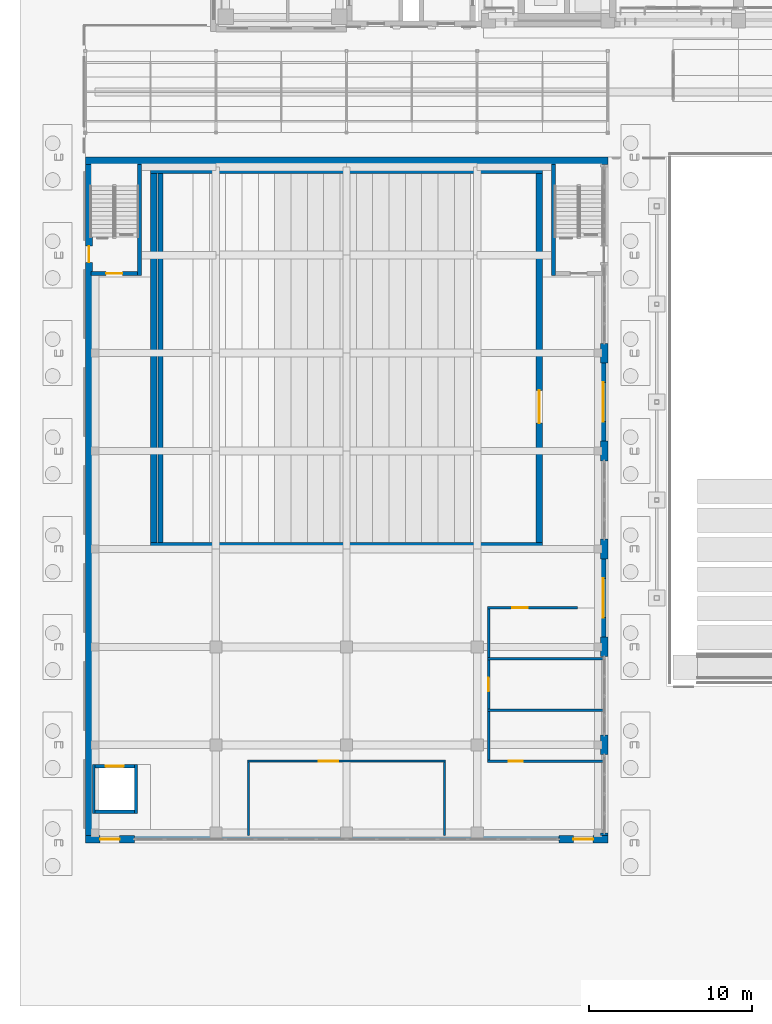
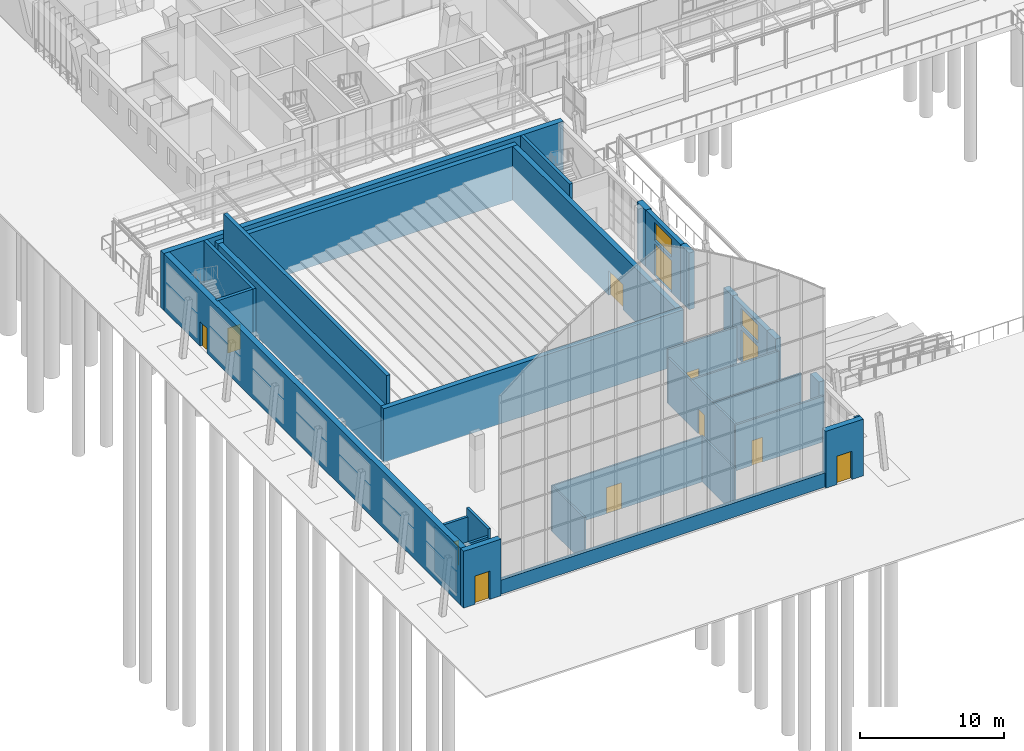
# One storey, part 102 of 144: 33 walls, 12 doors, 2 windows, 14 openings.
"""IFC4 building model written with IfcOpenShell, lengths in metres."""

import ifcopenshell
import ifcopenshell.guid

model = None  # the IFC model being written
_history = None  # IfcOwnerHistory: only IFC2X3 demands one
_inside = {}  # id of a spatial element -> (the spatial element, [elements in it])
_under = {}  # id of a project, library or spatial element -> (it, [spatial elements below it])
_declared = {}  # id of a project -> (the project, [libraries it declares])
_typed = {}  # id of a type object -> (the type object, [elements of that type])
_made_of = {}  # id of a material, layer set ... -> (it, [elements and type objects made of it])


def new_model(schema):
    """Start an empty IFC model of exactly this schema.

    Asked for "IFC4X3", IfcOpenShell would pick the latest addendum, in which some entities
    have other attributes; the version numbers below select the first issue.
    IFC2X3 requires an IfcOwnerHistory on every rooted entity: one is made here for all.
    """
    global model, _history
    if schema == "IFC4X3":
        model = ifcopenshell.file(schema_version=(4, 3, 0, 0))
    else:
        model = ifcopenshell.file(schema=schema)
    _inside.clear()
    _under.clear()
    _declared.clear()
    _typed.clear()
    _made_of.clear()
    _history = None
    if model.schema == "IFC2X3":
        org = make("IfcOrganization", Name="unknown")
        user = make(
            "IfcPersonAndOrganization",
            ThePerson=make("IfcPerson", FamilyName="unknown"),
            TheOrganization=org,
        )
        app = make(
            "IfcApplication",
            ApplicationDeveloper=org,
            Version="unknown",
            ApplicationFullName="unknown",
            ApplicationIdentifier="unknown",
        )
        _history = make(
            "IfcOwnerHistory",
            OwningUser=user,
            OwningApplication=app,
            ChangeAction="ADDED",
            CreationDate=0,
        )
    return model


def make(cls, **values):
    """One entity of the class cls with the attributes given. An attribute that is None is left unset."""
    return model.create_entity(
        cls, **{name: value for name, value in values.items() if value is not None}
    )


def rooted(cls, **values):
    """An entity with a GlobalId (a new one), such as an element, a storey or a relation."""
    return make(cls, GlobalId=ifcopenshell.guid.new(), OwnerHistory=_history, **values)


def si_unit(unit_type, name, prefix=None):
    """IfcSIUnit, for example si_unit("LENGTHUNIT", "METRE", prefix="MILLI")."""
    return make("IfcSIUnit", UnitType=unit_type, Prefix=prefix, Name=name)


def assignment(units):
    """IfcUnitAssignment: the units of a project."""
    return None if units is None else make("IfcUnitAssignment", Units=units)


def point(xyz):
    """IfcCartesianPoint."""
    return None if xyz is None else make("IfcCartesianPoint", Coordinates=xyz)


def direction(xyz):
    """IfcDirection."""
    return None if xyz is None else make("IfcDirection", DirectionRatios=xyz)


def frame(location, z_axis=None, x_axis=None):
    """IfcAxis2Placement3D, a coordinate frame: its origin and axes. An axis left out is left unset."""
    return make(
        "IfcAxis2Placement3D",
        Location=point(location),
        Axis=direction(z_axis),
        RefDirection=direction(x_axis),
    )


def frame_2d(location, x_axis=None):
    """IfcAxis2Placement2D, a coordinate frame in the plane: its origin and x axis."""
    return make(
        "IfcAxis2Placement2D", Location=point(location), RefDirection=direction(x_axis)
    )


def origin():
    """The frame at (0, 0, 0) with its axes left unset."""
    return frame((0.0, 0.0, 0.0))


def place(relative_to, where):
    """IfcLocalPlacement: puts the frame where relative to a parent placement (None: the world)."""
    return make(
        "IfcLocalPlacement", PlacementRelTo=relative_to, RelativePlacement=where
    )


def context(
    kind, dimensions, precision=None, world=None, true_north=None, identifier=None
):
    """IfcGeometricRepresentationContext, for example the 3D "Model" context."""
    return make(
        "IfcGeometricRepresentationContext",
        ContextIdentifier=identifier,
        ContextType=kind,
        CoordinateSpaceDimension=dimensions,
        Precision=precision,
        WorldCoordinateSystem=world,
        TrueNorth=true_north,
    )


def subcontext(parent, identifier, kind, view, scale=None):
    """IfcGeometricRepresentationSubContext, for example "Body" below "Model"."""
    return make(
        "IfcGeometricRepresentationSubContext",
        ContextIdentifier=identifier,
        ContextType=kind,
        ParentContext=parent,
        TargetScale=scale,
        TargetView=view,
    )


def project(units=None, contexts=None):
    """IfcProject with its units and contexts."""
    return rooted(
        "IfcProject",
        Name="project",
        RepresentationContexts=contexts,
        UnitsInContext=assignment(units),
    )


def spatial(cls, under=None, at=None, **own):
    """A site, building, storey or space (cls), placed at a placement, below another one or the project."""
    s = rooted(cls, ObjectPlacement=at, **own)
    if under is not None:
        _under.setdefault(under.id(), (under, []))[1].append(s)
    return s


def profile(cls, at=None, kind="AREA", **sizes):
    """A parametric profile (cls). Its sizes go by their IFC names, for example OverallWidth=200.0."""
    return make(cls, ProfileType=kind, Position=at, **sizes)


def rectangle(**sizes):
    """IfcRectangleProfileDef."""
    return profile("IfcRectangleProfileDef", **sizes)


def extrude(swept, where, along, depth):
    """IfcExtrudedAreaSolid: the profile swept, set in the frame where, extruded along a direction by depth."""
    return make(
        "IfcExtrudedAreaSolid",
        SweptArea=swept,
        Position=where,
        ExtrudedDirection=direction(along),
        Depth=depth,
    )


def shape(context_of_items, identifier, shape_type, items):
    """IfcShapeRepresentation: the items that make up one representation, for example the "Body"."""
    return make(
        "IfcShapeRepresentation",
        ContextOfItems=context_of_items,
        RepresentationIdentifier=identifier,
        RepresentationType=shape_type,
        Items=items,
    )


def material(Name=None, Category=None):
    """IfcMaterial."""
    return make("IfcMaterial", Name=Name, Category=Category)


def layer(
    of_material, thickness, ventilated=None, Name=None, Category=None, Priority=None
):
    """IfcMaterialLayer: one layer of a wall or slab, of a material (None: an air gap)."""
    return make(
        "IfcMaterialLayer",
        Material=of_material,
        LayerThickness=thickness,
        IsVentilated=ventilated,
        Name=Name,
        Category=Category,
        Priority=Priority,
    )


def layer_set(layers, Name=None):
    """IfcMaterialLayerSet."""
    return make("IfcMaterialLayerSet", MaterialLayers=layers, LayerSetName=Name)


def made_of(thing, what):
    """Note that an element or type object is made of a material, layer set ...; save() writes the relation."""
    if what is not None:
        _made_of.setdefault(what.id(), (what, []))[1].append(thing)
    return thing


def type_object(cls, material=None, **own):
    """A type object (cls), such as IfcWallType, which elements share."""
    return made_of(rooted(cls, **own), material)


def element(
    cls,
    number,
    at=None,
    inside=None,
    cuts=None,
    type_object=None,
    material=None,
    context=None,
    identifier="Body",
    shape_type=None,
    held_by="IfcProductDefinitionShape",
    body=None,
    shapes=None,
    **own,
):
    """One element of the class cls, such as IfcWall. Its Tag is "e" and its number.

    at: its placement. inside: the storey or other place that contains it. cuts: it is an
    opening in that element (IfcRelVoidsElement). A single representation is given by context,
    identifier, shape_type and body (its items); several are given by shapes. held_by: the class
    of the entity that holds the representations. save() writes the other relations.
    """
    e = rooted(cls, Tag="e%d" % number, ObjectPlacement=at, **own)
    if body is not None:
        shapes = [shape(context, identifier, shape_type, body)]
    if shapes is not None:
        e.Representation = make(held_by, Representations=shapes)
    if inside is not None:
        _inside.setdefault(inside.id(), (inside, []))[1].append(e)
    if cuts is not None:
        rooted(
            "IfcRelVoidsElement", RelatingBuildingElement=cuts, RelatedOpeningElement=e
        )
    if type_object is not None:
        _typed.setdefault(type_object.id(), (type_object, []))[1].append(e)
    return made_of(e, material)


def fill(opening, filler):
    """IfcRelFillsElement: the door or window that sits in an opening."""
    return rooted(
        "IfcRelFillsElement",
        RelatingOpeningElement=opening,
        RelatedBuildingElement=filler,
    )


def aggregate(whole, parts):
    """IfcRelAggregates: a whole, such as a stair, and the parts it consists of."""
    return rooted("IfcRelAggregates", RelatingObject=whole, RelatedObjects=parts)


def save(model, path):
    """Write the relations noted so far, then the file.

    IfcRelAggregates (storeys below a building ...), IfcRelContainedInSpatialStructure (elements
    in a storey), IfcRelDefinesByType, IfcRelAssociatesMaterial and IfcRelDeclares: one each for
    every whole, place, type object, material and project.
    """
    for whole, parts in _under.values():
        aggregate(whole, parts)
    for where, things in _inside.values():
        rooted(
            "IfcRelContainedInSpatialStructure",
            RelatedElements=things,
            RelatingStructure=where,
        )
    for kind, things in _typed.values():
        rooted("IfcRelDefinesByType", RelatedObjects=things, RelatingType=kind)
    for what, things in _made_of.values():
        rooted("IfcRelAssociatesMaterial", RelatedObjects=things, RelatingMaterial=what)
    for by, libraries in _declared.values():
        rooted("IfcRelDeclares", RelatingContext=by, RelatedDefinitions=libraries)
    model.write(path)


model = new_model("IFC4")

# Units and contexts
model_context = context("Model", 3, precision=1e-05, world=origin(), true_north=direction((0.0, 1.0)))
body_context = subcontext(model_context, "Body", "Model", "MODEL_VIEW")
ifc_project = project(units=[si_unit("LENGTHUNIT", "METRE"), si_unit("AREAUNIT", "SQUARE_METRE"), si_unit("VOLUMEUNIT", "CUBIC_METRE"), si_unit("PLANEANGLEUNIT", "RADIAN"), si_unit("MASSUNIT", "GRAM", prefix="KILO")], contexts=[model_context])

# Site, building, storey
site_placement = place(None, origin())
site = spatial("IfcSite", under=ifc_project, at=site_placement, CompositionType="ELEMENT")
building_placement = place(site_placement, origin())
building = spatial("IfcBuilding", under=site, at=building_placement, Name="Lantern Court Media Centre", CompositionType="ELEMENT")
storey_placement = place(building_placement, origin())
storey = spatial("IfcBuildingStorey", under=building, at=storey_placement, Name="L00", CompositionType="ELEMENT", Elevation=0.0)

# Wall, opening, door
ifc_material_1 = material(Name="Gypsum board partition")
ifc_layer_1 = layer(ifc_material_1, 0.125)
ifc_layer_set_1 = layer_set([ifc_layer_1], Name="Gypsum board partition")
wall_type_1 = type_object("IfcWallType", Name="Corridor partition 125", PredefinedType="PARTITIONING", material=ifc_layer_set_1)
wall_1_placement = place(storey_placement, frame((9.9375, 3.0, 0.0), z_axis=(0.0, 0.0, 1.0), x_axis=(1.0, 0.0, 0.0)))
wall_1 = element("IfcWall", 1, at=wall_1_placement, inside=storey, type_object=wall_type_1, Name="L00 partition 055", PredefinedType="PARTITIONING", context=body_context, shape_type="SweptSolid", body=[
    extrude(rectangle(XDim=12.125, YDim=0.125, at=frame_2d((6.0625, 0.0))), origin(), (0.0, 0.0, 1.0), 3.8798828125),
])
opening_1_placement = place(wall_1_placement, frame((4.36474609375, 0.0, 0.0)))
opening_1 = element("IfcOpeningElement", 2, at=opening_1_placement, cuts=wall_1, Name="Opening L00-036", PredefinedType="OPENING", context=body_context, shape_type="SweptSolid", body=[
    extrude(rectangle(XDim=1.199951171875, YDim=2.199951171875, at=frame_2d((0.60009765625, 1.10009765625))), frame((0.0, 0.072509765625, 0.0), z_axis=(0.0, -1.0, 0.0), x_axis=(1.0, 0.0, 0.0)), (0.0, 0.0, 1.0), 0.14501953125),
])
ifc_material_2 = material(Name="Solid-core timber door leaf", Category="wood")
door_type_1 = type_object("IfcDoorType", Name="Single door 1200x2200", OperationType="NOTDEFINED", PredefinedType="DOOR", material=ifc_material_2)
door_1_placement = place(opening_1_placement, frame((1.199951171875, 0.0, 0.0), z_axis=(0.0, 0.0, 1.0), x_axis=(-1.0, 0.0, 0.0)))
door_1 = element("IfcDoor", 3, at=door_1_placement, inside=storey, type_object=door_type_1, Name="L00 Cinema Concessions door", OperationType="SINGLE_SWING_LEFT", OverallHeight=2.199951171875, OverallWidth=1.199951171875, PredefinedType="DOOR", context=body_context, shape_type="SweptSolid", body=[
    extrude(rectangle(XDim=1.199951171875, YDim=2.199951171875, at=frame_2d((0.60009765625, 1.10009765625))), frame((0.0, 0.02490234375, 0.0), z_axis=(0.0, -1.0, 0.0), x_axis=(1.0, 0.0, 0.0)), (0.0, 0.0, 1.0), 0.050048828125),
])
fill(opening_1, door_1)

# Walls
for number, where, z_axis, x_axis, name in (
    (4, (10.0, -1.544921875, 0.0), (0.0, 0.0, 1.0), (0.0, 1.0, 0.0), "L00 partition 059"),
    (5, (22.0, -1.544921875, 0.0), (0.0, 0.0, 1.0), (0.0, 1.0, 0.0), "L00 partition 060"),
):
    element("IfcWall", number, at=place(storey_placement, frame(where, z_axis=z_axis, x_axis=x_axis)), inside=storey, type_object=wall_type_1, Name=name, PredefinedType="PARTITIONING", context=body_context, shape_type="SweptSolid", body=[
        extrude(rectangle(XDim=4.482421875, YDim=0.125, at=frame_2d((2.2412109375, 0.0))), origin(), (0.0, 0.0, 1.0), 3.8798828125),
    ])

# Wall, openings, door, window
ifc_material_3 = material(Name="Limestone masonry, insulated", Category="masonry")
ifc_layer_2 = layer(ifc_material_3, 0.35009765625)
ifc_layer_set_2 = layer_set([ifc_layer_2], Name="Limestone masonry, insulated")
wall_type_2 = type_object("IfcWallType", Name="Hall entrance portal wall, stone-faced masonry 350", PredefinedType="SOLIDWALL", material=ifc_layer_set_2)
wall_2_placement = place(storey_placement, frame((31.72509765625, 10.60009765625, 0.0), z_axis=(0.0, 0.0, 1.0), x_axis=(0.0, 1.0, 0.0)))
wall_2 = element("IfcWall", 6, at=wall_2_placement, inside=storey, type_object=wall_type_2, Name="Cinema Hall entrance bay 3", PredefinedType="SOLIDWALL", context=body_context, shape_type="SweptSolid", body=[
    extrude(rectangle(XDim=4.7998046875, YDim=0.35009765625, at=frame_2d((2.39990234375, 0.0))), origin(), (0.0, 0.0, 1.0), 4.800048828125),
])
opening_2_placement = place(wall_2_placement, frame((1.199951171875, 0.0, 0.0)))
opening_2 = element("IfcOpeningElement", 7, at=opening_2_placement, cuts=wall_2, Name="Opening D-V101", PredefinedType="OPENING", context=body_context, shape_type="SweptSolid", body=[
    extrude(rectangle(XDim=2.39990234375, YDim=2.699951171875, at=frame_2d((1.199951171875, 1.35009765625))), frame((0.0, 0.18505859375, 0.0), z_axis=(0.0, -1.0, 0.0), x_axis=(1.0, 0.0, 0.0)), (0.0, 0.0, 1.0), 0.3701171875),
])
opening_3_placement = place(wall_2_placement, frame((1.199951171875, 0.0, 3.0)))
opening_3 = element("IfcOpeningElement", 8, at=opening_3_placement, cuts=wall_2, Name="Opening HWN2", PredefinedType="OPENING", context=body_context, shape_type="SweptSolid", body=[
    extrude(rectangle(XDim=2.39990234375, YDim=1.5, at=frame_2d((1.199951171875, 0.75))), frame((0.0, 0.18505859375, 0.0), z_axis=(0.0, -1.0, 0.0), x_axis=(1.0, 0.0, 0.0)), (0.0, 0.0, 1.0), 0.3701171875),
])
ifc_material_4 = material(Name="Aluminium and laminated glass", Category="aluminium")
door_type_2 = type_object("IfcDoorType", Name="Hall entrance door, double leaf", OperationType="DOUBLE_DOOR_DOUBLE_SWING", PredefinedType="DOOR", material=ifc_material_4)
door_2_placement = place(opening_2_placement, frame((2.39990234375, 0.0, 0.0), z_axis=(0.0, 0.0, 1.0), x_axis=(-1.0, 0.0, 0.0)))
door_2 = element("IfcDoor", 9, at=door_2_placement, inside=storey, type_object=door_type_2, Name="Cinema Hall entrance 1", OperationType="SINGLE_SWING_LEFT", OverallHeight=2.699951171875, OverallWidth=2.39990234375, PredefinedType="DOOR", context=body_context, shape_type="SweptSolid", body=[
    extrude(rectangle(XDim=2.39990234375, YDim=2.699951171875, at=frame_2d((1.199951171875, 1.35009765625))), frame((0.0, 0.02490234375, 0.0), z_axis=(0.0, -1.0, 0.0), x_axis=(1.0, 0.0, 0.0)), (0.0, 0.0, 1.0), 0.050048828125),
])
fill(opening_2, door_2)
ifc_material_5 = material(Name="Aluminium and glass", Category="aluminium")
window_type = type_object("IfcWindowType", Name="Hall entrance fanlight 2400 x 1500", PartitioningType="SINGLE_PANEL", PredefinedType="WINDOW", material=ifc_material_5)
window_1_placement = place(opening_3_placement, origin())
window_1 = element("IfcWindow", 10, at=window_1_placement, inside=storey, type_object=window_type, Name="Cinema Hall entrance fanlight 3", OverallHeight=1.5, OverallWidth=2.39990234375, PartitioningType="SINGLE_PANEL", PredefinedType="WINDOW", context=body_context, shape_type="SweptSolid", body=[
    extrude(rectangle(XDim=2.39990234375, YDim=1.5, at=frame_2d((1.199951171875, 0.75))), frame((0.0, 0.030029296875, 0.0), z_axis=(0.0, -1.0, 0.0), x_axis=(1.0, 0.0, 0.0)), (0.0, 0.0, 1.0), 0.06005859375),
])
fill(opening_3, window_1)

wall_3_placement = place(storey_placement, frame((31.72509765625, 22.60009765625, 0.0), z_axis=(0.0, 0.0, 1.0), x_axis=(0.0, 1.0, 0.0)))
wall_3 = element("IfcWall", 11, at=wall_3_placement, inside=storey, type_object=wall_type_2, Name="Cinema Hall entrance bay 5", PredefinedType="SOLIDWALL", context=body_context, shape_type="SweptSolid", body=[
    extrude(rectangle(XDim=4.7998046875, YDim=0.35009765625, at=frame_2d((2.39990234375, 0.0))), origin(), (0.0, 0.0, 1.0), 4.800048828125),
])
opening_4_placement = place(wall_3_placement, frame((1.199951171875, 0.0, 0.0)))
opening_4 = element("IfcOpeningElement", 12, at=opening_4_placement, cuts=wall_3, Name="Opening D-V102", PredefinedType="OPENING", context=body_context, shape_type="SweptSolid", body=[
    extrude(rectangle(XDim=2.39990234375, YDim=2.699951171875, at=frame_2d((1.199951171875, 1.35009765625))), frame((0.0, 0.18505859375, 0.0), z_axis=(0.0, -1.0, 0.0), x_axis=(1.0, 0.0, 0.0)), (0.0, 0.0, 1.0), 0.3701171875),
])
opening_5_placement = place(wall_3_placement, frame((1.199951171875, 0.0, 3.0)))
opening_5 = element("IfcOpeningElement", 13, at=opening_5_placement, cuts=wall_3, Name="Opening HWN2", PredefinedType="OPENING", context=body_context, shape_type="SweptSolid", body=[
    extrude(rectangle(XDim=2.39990234375, YDim=1.5, at=frame_2d((1.199951171875, 0.75))), frame((0.0, 0.18505859375, 0.0), z_axis=(0.0, -1.0, 0.0), x_axis=(1.0, 0.0, 0.0)), (0.0, 0.0, 1.0), 0.3701171875),
])
door_3_placement = place(opening_4_placement, frame((2.39990234375, 0.0, 0.0), z_axis=(0.0, 0.0, 1.0), x_axis=(-1.0, 0.0, 0.0)))
door_3 = element("IfcDoor", 14, at=door_3_placement, inside=storey, type_object=door_type_2, Name="Cinema Hall entrance 2", OperationType="SINGLE_SWING_LEFT", OverallHeight=2.699951171875, OverallWidth=2.39990234375, PredefinedType="DOOR", context=body_context, shape_type="SweptSolid", body=[
    extrude(rectangle(XDim=2.39990234375, YDim=2.699951171875, at=frame_2d((1.199951171875, 1.35009765625))), frame((0.0, 0.02490234375, 0.0), z_axis=(0.0, -1.0, 0.0), x_axis=(1.0, 0.0, 0.0)), (0.0, 0.0, 1.0), 0.050048828125),
])
fill(opening_4, door_3)
window_2_placement = place(opening_5_placement, origin())
window_2 = element("IfcWindow", 15, at=window_2_placement, inside=storey, type_object=window_type, Name="Cinema Hall entrance fanlight 5", OverallHeight=1.5, OverallWidth=2.39990234375, PartitioningType="SINGLE_PANEL", PredefinedType="WINDOW", context=body_context, shape_type="SweptSolid", body=[
    extrude(rectangle(XDim=2.39990234375, YDim=1.5, at=frame_2d((1.199951171875, 0.75))), frame((0.0, 0.030029296875, 0.0), z_axis=(0.0, -1.0, 0.0), x_axis=(1.0, 0.0, 0.0)), (0.0, 0.0, 1.0), 0.06005859375),
])
fill(opening_5, window_2)

# Wall
ifc_layer_3 = layer(ifc_material_3, 0.300048828125)
ifc_layer_set_3 = layer_set([ifc_layer_3], Name="Limestone masonry, insulated")
wall_type_3 = type_object("IfcWallType", Name="Hall lancet plinth wall, stone-faced masonry 300", PredefinedType="SOLIDWALL", material=ifc_layer_set_3)
wall_4_placement = place(storey_placement, frame((3.0, -1.699951171875, 0.0), z_axis=(0.0, 0.0, 1.0), x_axis=(1.0, 0.0, 0.0)))
element("IfcWall", 16, at=wall_4_placement, inside=storey, type_object=wall_type_3, Name="Cinema Hall lancet window plinth", PredefinedType="SOLIDWALL", context=body_context, shape_type="SweptSolid", body=[
    extrude(rectangle(XDim=26.0, YDim=0.300048828125, at=frame_2d((13.0, 0.0))), origin(), (0.0, 0.0, 1.0), 1.199951171875),
])

# Wall, opening, door
ifc_layer_4 = layer(ifc_material_3, 0.449951171875)
ifc_layer_set_4 = layer_set([ifc_layer_4], Name="Limestone masonry, insulated")
wall_type_4 = type_object("IfcWallType", Name="Hall wall, stone-faced masonry 450", PredefinedType="SOLIDWALL", material=ifc_layer_set_4)
wall_5_placement = place(storey_placement, frame((0.22509765625, -1.550048828125, 0.0), z_axis=(0.0, 0.0, 1.0), x_axis=(0.0, 1.0, 0.0)))
wall_5 = element("IfcWall", 17, at=wall_5_placement, inside=storey, type_object=wall_type_4, Name="Cinema Hall street wall L00", PredefinedType="SOLIDWALL", context=body_context, shape_type="SweptSolid", body=[
    extrude(rectangle(XDim=41.10009765625, YDim=0.449951171875, at=frame_2d((20.550048828125, 0.0))), origin(), (0.0, 0.0, 1.0), 4.800048828125),
])
opening_6_placement = place(wall_5_placement, frame((35.10009765625, 0.0, 0.0)))
opening_6 = element("IfcOpeningElement", 18, at=opening_6_placement, cuts=wall_5, Name="Opening V1-ST-W-L00-02W", PredefinedType="OPENING", context=body_context, shape_type="SweptSolid", body=[
    extrude(rectangle(XDim=1.0, YDim=2.10009765625, at=frame_2d((0.5, 1.050048828125))), frame((0.0, 0.23486328125, 0.0), z_axis=(0.0, -1.0, 0.0), x_axis=(1.0, 0.0, 0.0)), (0.0, 0.0, 1.0), 0.469970703125),
])
ifc_material_6 = material(Name="Steel door leaf", Category="steel")
door_type_3 = type_object("IfcDoorType", Name="Stair exit door 1000x2100", OperationType="NOTDEFINED", PredefinedType="DOOR", material=ifc_material_6)
door_4_placement = place(opening_6_placement, origin())
door_4 = element("IfcDoor", 19, at=door_4_placement, inside=storey, type_object=door_type_3, Name="L00 V1-ST-W stair exit door", OperationType="SINGLE_SWING_RIGHT", OverallHeight=2.10009765625, OverallWidth=1.0, PredefinedType="DOOR", context=body_context, shape_type="SweptSolid", body=[
    extrude(rectangle(XDim=1.0, YDim=2.10009765625, at=frame_2d((0.5, 1.050048828125))), frame((0.0, 0.02490234375, 0.0), z_axis=(0.0, -1.0, 0.0), x_axis=(1.0, 0.0, 0.0)), (0.0, 0.0, 1.0), 0.050048828125),
])
fill(opening_6, door_4)

# Walls
wall_6_placement = place(storey_placement, frame((31.77490234375, -1.550048828125, 0.0), z_axis=(0.0, 0.0, 1.0), x_axis=(0.0, 1.0, 0.0)))
element("IfcWall", 20, at=wall_6_placement, inside=storey, type_object=wall_type_4, Name="Cinema Hall forecourt pier 1", PredefinedType="SOLIDWALL", context=body_context, shape_type="SweptSolid", body=[
    extrude(rectangle(XDim=0.150146484375, YDim=0.449951171875, at=frame_2d((0.0751953125, 0.0))), origin(), (0.0, 0.0, 1.0), 4.800048828125),
])
for number, where, z_axis, x_axis, name in (
    (21, (31.77490234375, 3.39990234375, 0.0), (0.0, 0.0, 1.0), (0.0, 1.0, 0.0), "Cinema Hall forecourt pier 2"),
    (22, (31.77490234375, 9.39990234375, 0.0), (0.0, 0.0, 1.0), (0.0, 1.0, 0.0), "Cinema Hall forecourt pier 3"),
    (23, (31.77490234375, 15.39990234375, 0.0), (0.0, 0.0, 1.0), (0.0, 1.0, 0.0), "Cinema Hall forecourt pier 4"),
    (24, (31.77490234375, 21.39990234375, 0.0), (0.0, 0.0, 1.0), (0.0, 1.0, 0.0), "Cinema Hall forecourt pier 5"),
    (25, (31.77490234375, 27.39990234375, 0.0), (0.0, 0.0, 1.0), (0.0, 1.0, 0.0), "Cinema Hall forecourt pier 6"),
):
    element("IfcWall", number, at=place(storey_placement, frame(where, z_axis=z_axis, x_axis=x_axis)), inside=storey, type_object=wall_type_4, Name=name, PredefinedType="SOLIDWALL", context=body_context, shape_type="SweptSolid", body=[
        extrude(rectangle(XDim=1.2001953125, YDim=0.449951171875, at=frame_2d((0.60009765625, 0.0))), origin(), (0.0, 0.0, 1.0), 4.800048828125),
    ])

# Wall, opening, door
wall_7_placement = place(storey_placement, frame((0.0, -1.77490234375, 0.0), z_axis=(0.0, 0.0, 1.0), x_axis=(1.0, 0.0, 0.0)))
wall_7 = element("IfcWall", 26, at=wall_7_placement, inside=storey, type_object=wall_type_4, Name="Cinema Hall south gable L00", PredefinedType="SOLIDWALL", context=body_context, shape_type="SweptSolid", body=[
    extrude(rectangle(XDim=3.0, YDim=0.449951171875, at=frame_2d((1.5, 0.0))), origin(), (0.0, 0.0, 1.0), 4.800048828125),
])
opening_7_placement = place(wall_7_placement, frame((0.89990234375, 0.0, 0.0)))
opening_7 = element("IfcOpeningElement", 27, at=opening_7_placement, cuts=wall_7, Name="Opening D-V121", PredefinedType="OPENING", context=body_context, shape_type="SweptSolid", body=[
    extrude(rectangle(XDim=1.199951171875, YDim=2.39990234375, at=frame_2d((0.60009765625, 1.199951171875))), frame((0.0, 0.23486328125, 0.0), z_axis=(0.0, -1.0, 0.0), x_axis=(1.0, 0.0, 0.0)), (0.0, 0.0, 1.0), 0.469970703125),
])
ifc_material_7 = material(Name="Steel, powder-coated", Category="steel")
door_type_4 = type_object("IfcDoorType", Name="Hall exit door, steel single leaf", OperationType="SINGLE_SWING_LEFT", PredefinedType="DOOR", material=ifc_material_7)
door_5_placement = place(opening_7_placement, origin())
door_5 = element("IfcDoor", 28, at=door_5_placement, inside=storey, type_object=door_type_4, Name="Cinema Hall exit 1", OperationType="SINGLE_SWING_LEFT", OverallHeight=2.39990234375, OverallWidth=1.199951171875, PredefinedType="DOOR", context=body_context, shape_type="SweptSolid", body=[
    extrude(rectangle(XDim=1.199951171875, YDim=2.39990234375, at=frame_2d((0.60009765625, 1.199951171875))), frame((0.0, 0.02490234375, 0.0), z_axis=(0.0, -1.0, 0.0), x_axis=(1.0, 0.0, 0.0)), (0.0, 0.0, 1.0), 0.050048828125),
])
fill(opening_7, door_5)

wall_8_placement = place(storey_placement, frame((29.0, -1.77490234375, 0.0), z_axis=(0.0, 0.0, 1.0), x_axis=(1.0, 0.0, 0.0)))
wall_8 = element("IfcWall", 29, at=wall_8_placement, inside=storey, type_object=wall_type_4, Name="Cinema Hall south gable L00", PredefinedType="SOLIDWALL", context=body_context, shape_type="SweptSolid", body=[
    extrude(rectangle(XDim=3.0, YDim=0.449951171875, at=frame_2d((1.5, 0.0))), origin(), (0.0, 0.0, 1.0), 4.800048828125),
])
opening_8_placement = place(wall_8_placement, frame((0.89990234375, 0.0, 0.0)))
opening_8 = element("IfcOpeningElement", 30, at=opening_8_placement, cuts=wall_8, Name="Opening D-V122", PredefinedType="OPENING", context=body_context, shape_type="SweptSolid", body=[
    extrude(rectangle(XDim=1.199951171875, YDim=2.39990234375, at=frame_2d((0.60009765625, 1.199951171875))), frame((0.0, 0.23486328125, 0.0), z_axis=(0.0, -1.0, 0.0), x_axis=(1.0, 0.0, 0.0)), (0.0, 0.0, 1.0), 0.469970703125),
])
door_6_placement = place(opening_8_placement, origin())
door_6 = element("IfcDoor", 31, at=door_6_placement, inside=storey, type_object=door_type_4, Name="Cinema Hall exit 2", OperationType="SINGLE_SWING_LEFT", OverallHeight=2.39990234375, OverallWidth=1.199951171875, PredefinedType="DOOR", context=body_context, shape_type="SweptSolid", body=[
    extrude(rectangle(XDim=1.199951171875, YDim=2.39990234375, at=frame_2d((0.60009765625, 1.199951171875))), frame((0.0, 0.02490234375, 0.0), z_axis=(0.0, -1.0, 0.0), x_axis=(1.0, 0.0, 0.0)), (0.0, 0.0, 1.0), 0.050048828125),
])
fill(opening_8, door_6)

# Wall
wall_9_placement = place(storey_placement, frame((0.0, 39.77490234375, 0.0), z_axis=(0.0, 0.0, 1.0), x_axis=(1.0, 0.0, 0.0)))
element("IfcWall", 32, at=wall_9_placement, inside=storey, type_object=wall_type_4, Name="Cinema Hall north gable L00", PredefinedType="SOLIDWALL", context=body_context, shape_type="SweptSolid", body=[
    extrude(rectangle(XDim=32.0, YDim=0.449951171875, at=frame_2d((16.0, 0.0))), origin(), (0.0, 0.0, 1.0), 4.800048828125),
])

# Wall, opening, door
ifc_material_8 = material(Name="Concrete blockwork C20", Category="masonry")
ifc_layer_5 = layer(ifc_material_8, 0.14990234375)
ifc_layer_set_5 = layer_set([ifc_layer_5], Name="Concrete blockwork C20")
wall_type_5 = type_object("IfcWallType", Name="Partition 150 masonry", PredefinedType="PARTITIONING", material=ifc_layer_set_5)
wall_10_placement = place(storey_placement, frame((24.625, 3.0, 0.0), z_axis=(0.0, 0.0, 1.0), x_axis=(1.0, 0.0, 0.0)))
wall_10 = element("IfcWall", 33, at=wall_10_placement, inside=storey, type_object=wall_type_5, Name="L00 partition 056", PredefinedType="PARTITIONING", context=body_context, shape_type="SweptSolid", body=[
    extrude(rectangle(XDim=7.074951171875, YDim=0.14990234375, at=frame_2d((3.53759765625, 0.0))), origin(), (0.0, 0.0, 1.0), 3.8798828125),
])
opening_9_placement = place(wall_10_placement, frame((1.308349609375, 0.0, 0.0)))
opening_9 = element("IfcOpeningElement", 34, at=opening_9_placement, cuts=wall_10, Name="Opening L00-037", PredefinedType="OPENING", context=body_context, shape_type="SweptSolid", body=[
    extrude(rectangle(XDim=0.85009765625, YDim=2.10009765625, at=frame_2d((0.425048828125, 1.050048828125))), frame((0.0, 0.0849609375, 0.0), z_axis=(0.0, -1.0, 0.0), x_axis=(1.0, 0.0, 0.0)), (0.0, 0.0, 1.0), 0.169921875),
])
door_type_5 = type_object("IfcDoorType", Name="WC door 850x2100", OperationType="NOTDEFINED", PredefinedType="DOOR", material=ifc_material_2)
door_7_placement = place(opening_9_placement, origin())
door_7 = element("IfcDoor", 35, at=door_7_placement, inside=storey, type_object=door_type_5, Name="L00 WC Male door", OperationType="SINGLE_SWING_RIGHT", OverallHeight=2.10009765625, OverallWidth=0.85009765625, PredefinedType="DOOR", context=body_context, shape_type="SweptSolid", body=[
    extrude(rectangle(XDim=0.85009765625, YDim=2.10009765625, at=frame_2d((0.425048828125, 1.050048828125))), frame((0.0, 0.02490234375, 0.0), z_axis=(0.0, -1.0, 0.0), x_axis=(1.0, 0.0, 0.0)), (0.0, 0.0, 1.0), 0.050048828125),
])
fill(opening_9, door_7)

wall_11_placement = place(storey_placement, frame((24.699951171875, 3.074951171875, 0.0), z_axis=(0.0, 0.0, 1.0), x_axis=(0.0, 1.0, 0.0)))
wall_11 = element("IfcWall", 36, at=wall_11_placement, inside=storey, type_object=wall_type_5, Name="L00 partition 057", PredefinedType="PARTITIONING", context=body_context, shape_type="SweptSolid", body=[
    extrude(rectangle(XDim=9.25, YDim=0.14990234375, at=frame_2d((4.625, 0.0))), origin(), (0.0, 0.0, 1.0), 3.8798828125),
])
opening_10_placement = place(wall_11_placement, frame((4.199951171875, 0.0, 0.0)))
opening_10 = element("IfcOpeningElement", 37, at=opening_10_placement, cuts=wall_11, Name="Opening L00-038", PredefinedType="OPENING", context=body_context, shape_type="SweptSolid", body=[
    extrude(rectangle(XDim=0.85009765625, YDim=2.10009765625, at=frame_2d((0.425048828125, 1.050048828125))), frame((0.0, 0.0849609375, 0.0), z_axis=(0.0, -1.0, 0.0), x_axis=(1.0, 0.0, 0.0)), (0.0, 0.0, 1.0), 0.169921875),
])
door_8_placement = place(opening_10_placement, frame((0.85009765625, 0.0, 0.0), z_axis=(0.0, 0.0, 1.0), x_axis=(-1.0, 0.0, 0.0)))
door_8 = element("IfcDoor", 38, at=door_8_placement, inside=storey, type_object=door_type_5, Name="L00 WC Female door", OperationType="SINGLE_SWING_LEFT", OverallHeight=2.10009765625, OverallWidth=0.85009765625, PredefinedType="DOOR", context=body_context, shape_type="SweptSolid", body=[
    extrude(rectangle(XDim=0.85009765625, YDim=2.10009765625, at=frame_2d((0.425048828125, 1.050048828125))), frame((0.0, 0.02490234375, 0.0), z_axis=(0.0, -1.0, 0.0), x_axis=(1.0, 0.0, 0.0)), (0.0, 0.0, 1.0), 0.050048828125),
])
fill(opening_10, door_8)

wall_12_placement = place(storey_placement, frame((24.625, 12.39990234375, 0.0), z_axis=(0.0, 0.0, 1.0), x_axis=(1.0, 0.0, 0.0)))
wall_12 = element("IfcWall", 39, at=wall_12_placement, inside=storey, type_object=wall_type_5, Name="L00 partition 058", PredefinedType="PARTITIONING", context=body_context, shape_type="SweptSolid", body=[
    extrude(rectangle(XDim=5.52001953125, YDim=0.14990234375, at=frame_2d((2.760009765625, 0.0))), origin(), (0.0, 0.0, 1.0), 4.56005859375),
])
opening_11_placement = place(wall_12_placement, frame((1.533447265625, 0.0, 0.0)))
opening_11 = element("IfcOpeningElement", 40, at=opening_11_placement, cuts=wall_12, Name="Opening L00-039", PredefinedType="OPENING", context=body_context, shape_type="SweptSolid", body=[
    extrude(rectangle(XDim=0.949951171875, YDim=2.10009765625, at=frame_2d((0.47509765625, 1.050048828125))), frame((0.0, 0.0849609375, 0.0), z_axis=(0.0, -1.0, 0.0), x_axis=(1.0, 0.0, 0.0)), (0.0, 0.0, 1.0), 0.169921875),
])
door_type_6 = type_object("IfcDoorType", Name="Accessible WC door 950x2100", OperationType="NOTDEFINED", PredefinedType="DOOR", material=ifc_material_2)
door_9_placement = place(opening_11_placement, frame((0.949951171875, 0.0, 0.0), z_axis=(0.0, 0.0, 1.0), x_axis=(-1.0, 0.0, 0.0)))
door_9 = element("IfcDoor", 41, at=door_9_placement, inside=storey, type_object=door_type_6, Name="L00 Accessible WC door", OperationType="SINGLE_SWING_RIGHT", OverallHeight=2.10009765625, OverallWidth=0.949951171875, PredefinedType="DOOR", context=body_context, shape_type="SweptSolid", body=[
    extrude(rectangle(XDim=0.949951171875, YDim=2.10009765625, at=frame_2d((0.47509765625, 1.050048828125))), frame((0.0, 0.02490234375, 0.0), z_axis=(0.0, -1.0, 0.0), x_axis=(1.0, 0.0, 0.0)), (0.0, 0.0, 1.0), 0.050048828125),
])
fill(opening_11, door_9)

# Walls
for number, where, z_axis, x_axis, name in (
    (42, (24.625, 6.133056640625, 0.0), (0.0, 0.0, 1.0), (1.0, 0.0, 0.0), "L00 partition 061"),
    (43, (24.625, 9.26708984375, 0.0), (0.0, 0.0, 1.0), (1.0, 0.0, 0.0), "L00 partition 062"),
):
    element("IfcWall", number, at=place(storey_placement, frame(where, z_axis=z_axis, x_axis=x_axis)), inside=storey, type_object=wall_type_5, Name=name, PredefinedType="PARTITIONING", context=body_context, shape_type="SweptSolid", body=[
        extrude(rectangle(XDim=7.074951171875, YDim=0.14990234375, at=frame_2d((3.53759765625, 0.0))), origin(), (0.0, 0.0, 1.0), 3.8798828125),
    ])
ifc_material_9 = material(Name="Concrete C40", Category="concrete")
ifc_layer_6 = layer(ifc_material_9, 0.39990234375)
ifc_layer_set_6 = layer_set([ifc_layer_6], Name="Concrete C40")
wall_type_6 = type_object("IfcWallType", Name="RC SHEAR WALL 400", PredefinedType="SHEAR", material=ifc_layer_set_6)
for number, where, z_axis, x_axis, name in (
    (44, (4.0, 16.199951171875, 0.0), (0.0, 0.0, 1.0), (1.0, 0.0, 0.0), "WB-V1-SC1-L00-S"),
    (45, (4.0, 39.199951171875, 0.0), (0.0, 0.0, 1.0), (1.0, 0.0, 0.0), "WB-V1-SC1-L00-N"),
):
    element("IfcWall", number, at=place(storey_placement, frame(where, z_axis=z_axis, x_axis=x_axis)), inside=storey, type_object=wall_type_6, Name=name, PredefinedType="SHEAR", context=body_context, shape_type="SweptSolid", body=[
        extrude(rectangle(XDim=24.0, YDim=0.39990234375, at=frame_2d((12.0, 0.0))), origin(), (0.0, 0.0, 1.0), 4.550048828125),
    ])
wall_13_placement = place(storey_placement, frame((4.199951171875, 16.39990234375, 0.0), z_axis=(0.0, 0.0, 1.0), x_axis=(0.0, 1.0, 0.0)))
element("IfcWall", 46, at=wall_13_placement, inside=storey, type_object=wall_type_6, Name="WB-V1-SC1-L00-W", PredefinedType="SHEAR", context=body_context, shape_type="SweptSolid", body=[
    extrude(rectangle(XDim=22.60009765625, YDim=0.39990234375, at=frame_2d((11.300048828125, 0.0))), origin(), (0.0, 0.0, 1.0), 4.550048828125),
])

# Wall, opening, door
wall_14_placement = place(storey_placement, frame((27.800048828125, 16.39990234375, 0.0), z_axis=(0.0, 0.0, 1.0), x_axis=(0.0, 1.0, 0.0)))
wall_14 = element("IfcWall", 47, at=wall_14_placement, inside=storey, type_object=wall_type_6, Name="WB-V1-SC1-L00-E", PredefinedType="SHEAR", context=body_context, shape_type="SweptSolid", body=[
    extrude(rectangle(XDim=22.60009765625, YDim=0.39990234375, at=frame_2d((11.300048828125, 0.0))), origin(), (0.0, 0.0, 1.0), 4.550048828125),
])
opening_12_placement = place(wall_14_placement, frame((7.313232421875, 0.0, 0.0)))
opening_12 = element("IfcOpeningElement", 48, at=opening_12_placement, cuts=wall_14, Name="Opening L00-035", PredefinedType="OPENING", context=body_context, shape_type="SweptSolid", body=[
    extrude(rectangle(XDim=2.0, YDim=2.10009765625, at=frame_2d((1.0, 1.050048828125))), frame((0.0, 0.2099609375, 0.0), z_axis=(0.0, -1.0, 0.0), x_axis=(1.0, 0.0, 0.0)), (0.0, 0.0, 1.0), 0.419921875),
])
door_type_7 = type_object("IfcDoorType", Name="Auditorium double door 2000x2100", OperationType="NOTDEFINED", PredefinedType="DOOR", material=ifc_material_2)
door_10_placement = place(opening_12_placement, frame((2.0, 0.0, 0.0), z_axis=(0.0, 0.0, 1.0), x_axis=(-1.0, 0.0, 0.0)))
door_10 = element("IfcDoor", 49, at=door_10_placement, inside=storey, type_object=door_type_7, Name="L00 Screen 1 Cinema door", OperationType="DOUBLE_DOOR_SINGLE_SWING", OverallHeight=2.10009765625, OverallWidth=2.0, PredefinedType="DOOR", context=body_context, shape_type="SweptSolid", body=[
    extrude(rectangle(XDim=2.0, YDim=2.10009765625, at=frame_2d((1.0, 1.050048828125))), frame((0.0, 0.02490234375, 0.0), z_axis=(0.0, -1.0, 0.0), x_axis=(1.0, 0.0, 0.0)), (0.0, 0.0, 1.0), 0.050048828125),
])
fill(opening_12, door_10)

# Walls
ifc_layer_7 = layer(ifc_material_9, 0.14990234375)
ifc_layer_set_7 = layer_set([ifc_layer_7], Name="Concrete C40")
wall_type_7 = type_object("IfcWallType", Name="RC lift shaft wall 150", PredefinedType="SOLIDWALL", material=ifc_layer_set_7)
wall_15_placement = place(storey_placement, frame((0.52490234375, -0.199951171875, 0.0), z_axis=(0.0, 0.0, 1.0), x_axis=(0.0, 1.0, 0.0)))
element("IfcWall", 50, at=wall_15_placement, inside=storey, type_object=wall_type_7, Name="L00 V1-LIFT shaft wall W", PredefinedType="SOLIDWALL", context=body_context, shape_type="SweptSolid", body=[
    extrude(rectangle(XDim=3.0, YDim=0.14990234375, at=frame_2d((1.5, 0.0))), origin(), (0.0, 0.0, 1.0), 3.8798828125),
])
ifc_layer_8 = layer(ifc_material_9, 0.199951171875)
ifc_layer_set_8 = layer_set([ifc_layer_8], Name="Concrete C40")
wall_type_8 = type_object("IfcWallType", Name="RC lift shaft wall 200", PredefinedType="SOLIDWALL", material=ifc_layer_set_8)
wall_16_placement = place(storey_placement, frame((3.10009765625, -0.199951171875, 0.0), z_axis=(0.0, 0.0, 1.0), x_axis=(0.0, 1.0, 0.0)))
element("IfcWall", 51, at=wall_16_placement, inside=storey, type_object=wall_type_8, Name="L00 V1-LIFT shaft wall E", PredefinedType="SOLIDWALL", context=body_context, shape_type="SweptSolid", body=[
    extrude(rectangle(XDim=3.0, YDim=0.199951171875, at=frame_2d((1.5, 0.0))), origin(), (0.0, 0.0, 1.0), 4.550048828125),
])
wall_17_placement = place(storey_placement, frame((0.60009765625, -0.10009765625, 0.0), z_axis=(0.0, 0.0, 1.0), x_axis=(1.0, 0.0, 0.0)))
element("IfcWall", 52, at=wall_17_placement, inside=storey, type_object=wall_type_8, Name="L00 V1-LIFT shaft wall S", PredefinedType="SOLIDWALL", context=body_context, shape_type="SweptSolid", body=[
    extrude(rectangle(XDim=2.39990234375, YDim=0.199951171875, at=frame_2d((1.199951171875, 0.0))), origin(), (0.0, 0.0, 1.0), 3.8798828125),
])

# Wall, opening, door
wall_18_placement = place(storey_placement, frame((0.60009765625, 2.699951171875, 0.0), z_axis=(0.0, 0.0, 1.0), x_axis=(1.0, 0.0, 0.0)))
wall_18 = element("IfcWall", 53, at=wall_18_placement, inside=storey, type_object=wall_type_8, Name="L00 V1-LIFT shaft wall N", PredefinedType="SOLIDWALL", context=body_context, shape_type="SweptSolid", body=[
    extrude(rectangle(XDim=2.39990234375, YDim=0.199951171875, at=frame_2d((1.199951171875, 0.0))), origin(), (0.0, 0.0, 1.0), 3.8798828125),
])
opening_13_placement = place(wall_18_placement, frame((0.64990234375, 0.0, 0.0)))
opening_13 = element("IfcOpeningElement", 54, at=opening_13_placement, cuts=wall_18, Name="Opening LD-V1-LIFT-L00", PredefinedType="OPENING", context=body_context, shape_type="SweptSolid", body=[
    extrude(rectangle(XDim=1.10009765625, YDim=2.10009765625, at=frame_2d((0.550048828125, 1.050048828125))), frame((0.0, 0.10986328125, 0.0), z_axis=(0.0, -1.0, 0.0), x_axis=(1.0, 0.0, 0.0)), (0.0, 0.0, 1.0), 0.219970703125),
])
door_type_8 = type_object("IfcDoorType", Name="Lift landing door 1100x2100", OperationType="DOUBLE_DOOR_SLIDING", PredefinedType="DOOR", material=ifc_material_6)
door_11_placement = place(opening_13_placement, origin())
door_11 = element("IfcDoor", 55, at=door_11_placement, inside=storey, type_object=door_type_8, Name="L00 V1-LIFT lift landing door", OperationType="DOUBLE_DOOR_SLIDING", OverallHeight=2.10009765625, OverallWidth=1.10009765625, PredefinedType="DOOR", context=body_context, shape_type="SweptSolid", body=[
    extrude(rectangle(XDim=1.10009765625, YDim=2.10009765625, at=frame_2d((0.550048828125, 1.050048828125))), frame((0.0, 0.02490234375, 0.0), z_axis=(0.0, -1.0, 0.0), x_axis=(1.0, 0.0, 0.0)), (0.0, 0.0, 1.0), 0.050048828125),
])
fill(opening_13, door_11)

# Wall
ifc_layer_9 = layer(ifc_material_9, 0.25)
ifc_layer_set_9 = layer_set([ifc_layer_9], Name="Concrete C40")
wall_type_9 = type_object("IfcWallType", Name="RC stair shaft wall 250", PredefinedType="SOLIDWALL", material=ifc_layer_set_9)
wall_19_placement = place(storey_placement, frame((3.324951171875, 32.75, 0.0), z_axis=(0.0, 0.0, 1.0), x_axis=(0.0, 1.0, 0.0)))
element("IfcWall", 56, at=wall_19_placement, inside=storey, type_object=wall_type_9, Name="L00 V1-ST-W shaft wall E", PredefinedType="SOLIDWALL", context=body_context, shape_type="SweptSolid", body=[
    extrude(rectangle(XDim=6.800048828125, YDim=0.25, at=frame_2d((3.39990234375, 0.0))), origin(), (0.0, 0.0, 1.0), 4.800048828125),
])

# Wall, opening, door
wall_20_placement = place(storey_placement, frame((0.35009765625, 32.875, 0.0), z_axis=(0.0, 0.0, 1.0), x_axis=(1.0, 0.0, 0.0)))
wall_20 = element("IfcWall", 57, at=wall_20_placement, inside=storey, type_object=wall_type_9, Name="L00 V1-ST-W shaft wall S", PredefinedType="SOLIDWALL", context=body_context, shape_type="SweptSolid", body=[
    extrude(rectangle(XDim=2.849853515625, YDim=0.25, at=frame_2d((1.4248046875, 0.0))), origin(), (0.0, 0.0, 1.0), 4.800048828125),
])
opening_14_placement = place(wall_20_placement, frame((0.925048828125, 0.0, 0.0)))
opening_14 = element("IfcOpeningElement", 58, at=opening_14_placement, cuts=wall_20, Name="Opening V1-ST-W-L00-01", PredefinedType="OPENING", context=body_context, shape_type="SweptSolid", body=[
    extrude(rectangle(XDim=1.0, YDim=2.10009765625, at=frame_2d((0.5, 1.050048828125))), frame((0.0, 0.135009765625, 0.0), z_axis=(0.0, -1.0, 0.0), x_axis=(1.0, 0.0, 0.0)), (0.0, 0.0, 1.0), 0.27001953125),
])
door_type_9 = type_object("IfcDoorType", Name="Stair door 1000x2100", OperationType="NOTDEFINED", PredefinedType="DOOR", material=ifc_material_6)
door_12_placement = place(opening_14_placement, frame((1.0, 0.0, 0.0), z_axis=(0.0, 0.0, 1.0), x_axis=(-1.0, 0.0, 0.0)))
door_12 = element("IfcDoor", 59, at=door_12_placement, inside=storey, type_object=door_type_9, Name="L00 V1-ST-W stair door", OperationType="SINGLE_SWING_RIGHT", OverallHeight=2.10009765625, OverallWidth=1.0, PredefinedType="DOOR", context=body_context, shape_type="SweptSolid", body=[
    extrude(rectangle(XDim=1.0, YDim=2.10009765625, at=frame_2d((0.5, 1.050048828125))), frame((0.0, 0.02490234375, 0.0), z_axis=(0.0, -1.0, 0.0), x_axis=(1.0, 0.0, 0.0)), (0.0, 0.0, 1.0), 0.050048828125),
])
fill(opening_14, door_12)

# Walls
wall_21_placement = place(storey_placement, frame((28.675048828125, 32.75, 0.0), z_axis=(0.0, 0.0, 1.0), x_axis=(0.0, 1.0, 0.0)))
element("IfcWall", 60, at=wall_21_placement, inside=storey, type_object=wall_type_9, Name="L00 V1-ST-E shaft wall W", PredefinedType="SOLIDWALL", context=body_context, shape_type="SweptSolid", body=[
    extrude(rectangle(XDim=6.800048828125, YDim=0.25, at=frame_2d((3.39990234375, 0.0))), origin(), (0.0, 0.0, 1.0), 4.800048828125),
])
ifc_material_10 = material(Name="Acoustic gypsum board")
ifc_layer_10 = layer(ifc_material_10, 0.300048828125)
ifc_layer_set_10 = layer_set([ifc_layer_10], Name="Acoustic gypsum board")
wall_type_10 = type_object("IfcWallType", Name="Screen wall 300", PredefinedType="PARTITIONING", material=ifc_layer_set_10)
wall_22_placement = place(storey_placement, frame((4.60009765625, 16.39990234375, 0.0), z_axis=(0.0, 0.0, 1.0), x_axis=(0.0, 1.0, 0.0)))
element("IfcWall", 61, at=wall_22_placement, inside=storey, type_object=wall_type_10, Name="Screen 1 Cinema screen wall", PredefinedType="PARTITIONING", context=body_context, shape_type="SweptSolid", body=[
    extrude(rectangle(XDim=22.60009765625, YDim=0.300048828125, at=frame_2d((11.300048828125, 0.0))), origin(), (0.0, 0.0, 1.0), 6.949951171875),
])

save(model, "model.ifc")
